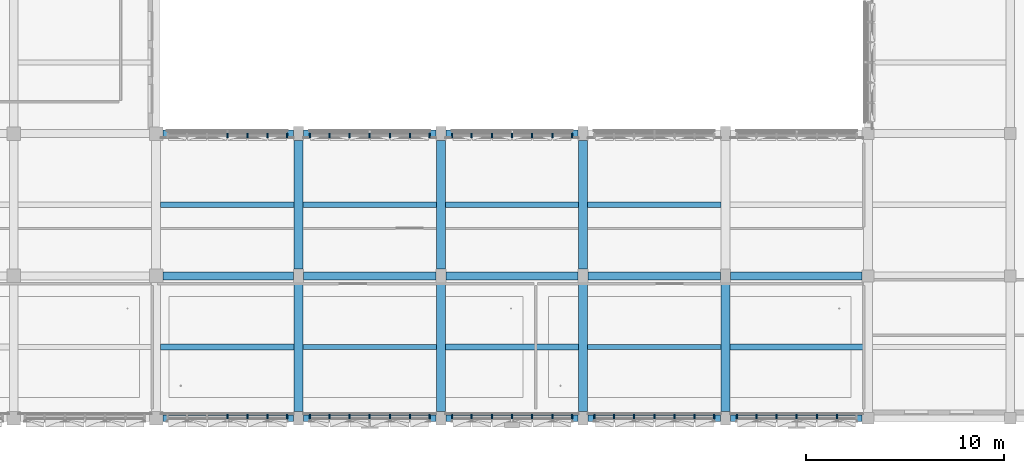
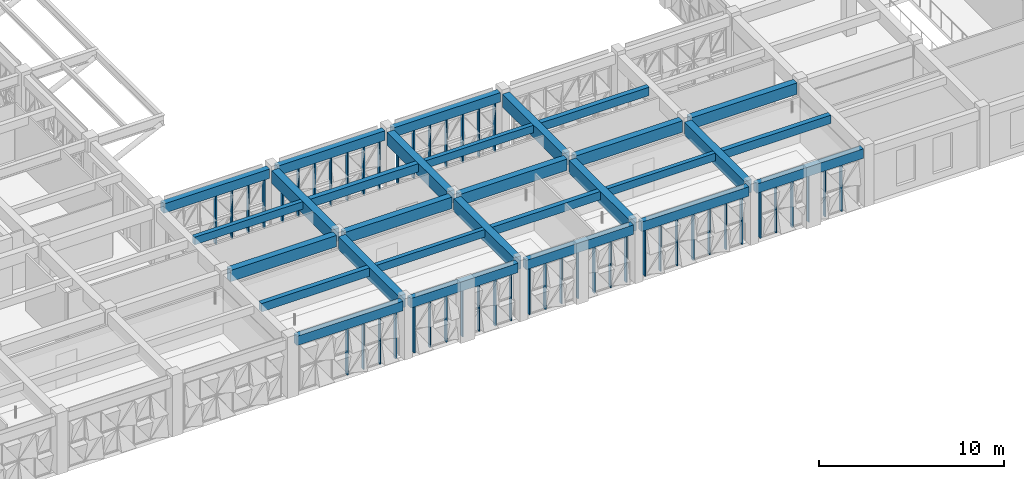
# One storey, part 5 of 88: 49 members, 29 beams, 8 elements without a shape of their own.
"""IFC4 building model written with IfcOpenShell, lengths in metres."""

from ifc_helpers import new_model, si_unit, direction, frame, origin, origin_2d, place, context, subcontext, project, spatial, rectangle, extrude, material, material_profile, profile_set, type_object, element, aggregate, save


model = new_model("IFC4")

# Units and contexts
model_context = context("Model", 3, precision=1e-05, world=origin(), true_north=direction((0.0, 1.0)))
body_context = subcontext(model_context, "Body", "Model", "MODEL_VIEW")
ifc_project = project(units=[si_unit("LENGTHUNIT", "METRE"), si_unit("AREAUNIT", "SQUARE_METRE"), si_unit("VOLUMEUNIT", "CUBIC_METRE"), si_unit("PLANEANGLEUNIT", "RADIAN"), si_unit("MASSUNIT", "GRAM", prefix="KILO")], contexts=[model_context])

# Site, building, storey
site_placement = place(None, origin())
site = spatial("IfcSite", under=ifc_project, at=site_placement, CompositionType="ELEMENT")
building_placement = place(site_placement, origin())
building = spatial("IfcBuilding", under=site, at=building_placement, Name="Alvorim Cloister Faculty of Sciences", CompositionType="ELEMENT")
storey_placement = place(building_placement, frame((0.0, 0.0, 4.5)))
storey = spatial("IfcBuildingStorey", under=building, at=storey_placement, Name="L01", CompositionType="ELEMENT", Elevation=4.5)

# Beams
ifc_material_1 = material(Name="Concrete C40", Category="concrete")
ifc_material_profile_1 = material_profile(ifc_material_1, rectangle(XDim=0.260009765625, YDim=0.5, at=origin_2d()), Name="RC40-JST-260x500")
ifc_profile_set_1 = profile_set([ifc_material_profile_1], Name="Concrete C40")
beam_type_1 = type_object("IfcBeamType", Name="BM-JST-RC-260x500", PredefinedType="JOIST", material=ifc_profile_set_1)
for number, where, z_axis, x_axis, name in (
    (1, (29.02490234375, 10.800048828125, 3.5400390625), (1.0, 0.0, 0.0), (0.0, 1.0, 0.0), "L01 Secondary Floor Joist BM-1195"),
    (2, (36.22509765625, 3.60009765625, 3.5400390625), (1.0, 0.0, 0.0), (0.0, 1.0, 0.0), "L01 Secondary Floor Joist BM-1198"),
    (3, (43.425048828125, 10.800048828125, 3.5400390625), (1.0, 0.0, 0.0), (0.0, 1.0, 0.0), "L01 Secondary Floor Joist BM-1201"),
    (4, (50.625, 3.60009765625, 3.5400390625), (1.0, 0.0, 0.0), (0.0, 1.0, 0.0), "L01 Secondary Floor Joist BM-1202"),
):
    element("IfcBeam", number, at=place(storey_placement, frame(where, z_axis=z_axis, x_axis=x_axis)), inside=storey, type_object=beam_type_1, Name=name, PredefinedType="JOIST", context=body_context, shape_type="SweptSolid", body=[
        extrude(rectangle(XDim=0.260009765625, YDim=0.5, at=origin_2d()), origin(), (0.0, 0.0, 1.0), 6.75),
    ])
ifc_material_profile_2 = material_profile(ifc_material_1, rectangle(XDim=0.300048828125, YDim=0.550048828125, at=origin_2d()), Name="RC40-JST-300x550")
ifc_profile_set_2 = profile_set([ifc_material_profile_2], Name="Concrete C40")
beam_type_2 = type_object("IfcBeamType", Name="BM-JST-RC-300x550", PredefinedType="JOIST", material=ifc_profile_set_2)
for number, where, z_axis, x_axis, name in (
    (5, (29.02490234375, 3.60009765625, 3.514892578125), (1.0, 0.0, 0.0), (0.0, 1.0, 0.0), "L01 Secondary Floor Joist BM-1194"),
    (6, (36.22509765625, 10.800048828125, 3.514892578125), (1.0, 0.0, 0.0), (0.0, 1.0, 0.0), "L01 Secondary Floor Joist BM-1199"),
    (7, (43.425048828125, 3.60009765625, 3.514892578125), (1.0, 0.0, 0.0), (0.0, 1.0, 0.0), "L01 Secondary Floor Joist BM-1200"),
    (8, (50.625, 10.800048828125, 3.514892578125), (1.0, 0.0, 0.0), (0.0, 1.0, 0.0), "L01 Secondary Floor Joist BM-1203"),
    (9, (57.824951171875, 3.60009765625, 3.514892578125), (1.0, 0.0, 0.0), (0.0, 1.0, 0.0), "L01 Secondary Floor Joist BM-1204"),
):
    element("IfcBeam", number, at=place(storey_placement, frame(where, z_axis=z_axis, x_axis=x_axis)), inside=storey, type_object=beam_type_2, Name=name, PredefinedType="JOIST", context=body_context, shape_type="SweptSolid", body=[
        extrude(rectangle(XDim=0.300048828125, YDim=0.550048828125, at=origin_2d()), origin(), (0.0, 0.0, 1.0), 6.75),
    ])
ifc_material_profile_3 = material_profile(ifc_material_1, rectangle(XDim=0.39990234375, YDim=0.75, at=origin_2d()), Name="RC40-BM-400x750")
ifc_profile_set_3 = profile_set([ifc_material_profile_3], Name="Concrete C40")
beam_type_3 = type_object("IfcBeamType", Name="BM-RC-400x750", PredefinedType="BEAM", material=ifc_profile_set_3)
beam_1_placement = place(storey_placement, frame((29.139892578125, 7.199951171875, 3.4150390625), z_axis=(1.0, 0.0, 0.0), x_axis=(0.0, 1.0, 0.0)))
element("IfcBeam", 10, at=beam_1_placement, inside=storey, type_object=beam_type_3, Name="L01 Primary Beam BM-0910", PredefinedType="BEAM", context=body_context, shape_type="SweptSolid", body=[
    extrude(rectangle(XDim=0.39990234375, YDim=0.75, at=origin_2d()), origin(), (0.0, 0.0, 1.0), 6.610107421875),
])
for number, where, z_axis, x_axis, name in (
    (11, (36.25, 7.199951171875, 3.4150390625), (1.0, 0.0, 0.0), (0.0, 1.0, 0.0), "L01 Primary Beam BM-0911"),
    (12, (43.449951171875, 7.199951171875, 3.4150390625), (1.0, 0.0, 0.0), (0.0, 1.0, 0.0), "L01 Primary Beam BM-0912"),
):
    element("IfcBeam", number, at=place(storey_placement, frame(where, z_axis=z_axis, x_axis=x_axis)), inside=storey, type_object=beam_type_3, Name=name, PredefinedType="BEAM", context=body_context, shape_type="SweptSolid", body=[
        extrude(rectangle(XDim=0.39990234375, YDim=0.75, at=origin_2d()), origin(), (0.0, 0.0, 1.0), 6.699951171875),
    ])
beam_2_placement = place(storey_placement, frame((50.64990234375, 7.199951171875, 3.4150390625), z_axis=(1.0, 0.0, 0.0), x_axis=(0.0, 1.0, 0.0)))
element("IfcBeam", 13, at=beam_2_placement, inside=storey, type_object=beam_type_3, Name="L01 Primary Beam BM-0913", PredefinedType="BEAM", context=body_context, shape_type="SweptSolid", body=[
    extrude(rectangle(XDim=0.39990234375, YDim=0.75, at=origin_2d()), origin(), (0.0, 0.0, 1.0), 6.7001953125),
])
beam_3_placement = place(storey_placement, frame((57.85009765625, 7.199951171875, 3.4150390625), z_axis=(1.0, 0.0, 0.0), x_axis=(0.0, 1.0, 0.0)))
element("IfcBeam", 14, at=beam_3_placement, inside=storey, type_object=beam_type_3, Name="L01 Primary Beam BM-0914", PredefinedType="BEAM", context=body_context, shape_type="SweptSolid", body=[
    extrude(rectangle(XDim=0.39990234375, YDim=0.75, at=origin_2d()), origin(), (0.0, 0.0, 1.0), 6.64990234375),
])
ifc_material_profile_4 = material_profile(ifc_material_1, rectangle(XDim=0.449951171875, YDim=0.85009765625, at=origin_2d()), Name="RC40-BM-450x850")
ifc_profile_set_4 = profile_set([ifc_material_profile_4], Name="Concrete C40")
beam_type_4 = type_object("IfcBeamType", Name="BM-RC-450x850", PredefinedType="BEAM", material=ifc_profile_set_4)
for number, where, z_axis, x_axis, name in (
    (15, (36.0, 0.35009765625, 3.364990234375), (0.0, 1.0, 0.0), (-1.0, 0.0, 0.0), "L01 Primary Girder BM-1092"),
    (16, (36.0, 7.550048828125, 3.364990234375), (0.0, 1.0, 0.0), (-1.0, 0.0, 0.0), "L01 Primary Girder BM-1093"),
    (17, (43.199951171875, 0.35009765625, 3.364990234375), (0.0, 1.0, 0.0), (-1.0, 0.0, 0.0), "L01 Primary Girder BM-1096"),
    (18, (43.199951171875, 7.550048828125, 3.364990234375), (0.0, 1.0, 0.0), (-1.0, 0.0, 0.0), "L01 Primary Girder BM-1097"),
    (19, (50.39990234375, 0.35009765625, 3.364990234375), (0.0, 1.0, 0.0), (-1.0, 0.0, 0.0), "L01 Primary Girder BM-1098"),
    (20, (50.39990234375, 7.550048828125, 3.364990234375), (0.0, 1.0, 0.0), (-1.0, 0.0, 0.0), "L01 Primary Girder BM-1099"),
    (21, (57.60009765625, 0.35009765625, 3.364990234375), (0.0, 1.0, 0.0), (-1.0, 0.0, 0.0), "L01 Primary Girder BM-1100"),
):
    element("IfcBeam", number, at=place(storey_placement, frame(where, z_axis=z_axis, x_axis=x_axis)), inside=storey, type_object=beam_type_4, Name=name, PredefinedType="BEAM", context=body_context, shape_type="SweptSolid", body=[
        extrude(rectangle(XDim=0.449951171875, YDim=0.85009765625, at=origin_2d()), origin(), (0.0, 0.0, 1.0), 6.5),
    ])
ifc_material_profile_5 = material_profile(ifc_material_1, rectangle(XDim=0.35009765625, YDim=0.6201171875, at=origin_2d()), Name="RC40-SPD-350x620")
ifc_profile_set_5 = profile_set([ifc_material_profile_5], Name="Concrete C40")
beam_type_5 = type_object("IfcBeamType", Name="BM-SPD-RC-350x620", PredefinedType="SPANDREL", material=ifc_profile_set_5)
beam_4_placement = place(storey_placement, frame((29.139892578125, 0.0, 3.47998046875), z_axis=(1.0, 0.0, 0.0), x_axis=(0.0, 1.0, 0.0)))
element("IfcBeam", 22, at=beam_4_placement, inside=storey, type_object=beam_type_5, Name="L01 Primary Beam BM-0887", PredefinedType="SPANDREL", context=body_context, shape_type="SweptSolid", body=[
    extrude(rectangle(XDim=0.35009765625, YDim=0.6201171875, at=origin_2d()), origin(), (0.0, 0.0, 1.0), 6.610107421875),
])
for number, where, z_axis, x_axis, name in (
    (23, (36.25, 0.0, 3.47998046875), (1.0, 0.0, 0.0), (0.0, 1.0, 0.0), "L01 Primary Beam BM-0888"),
    (24, (43.449951171875, 0.0, 3.47998046875), (1.0, 0.0, 0.0), (0.0, 1.0, 0.0), "L01 Primary Beam BM-0889"),
):
    element("IfcBeam", number, at=place(storey_placement, frame(where, z_axis=z_axis, x_axis=x_axis)), inside=storey, type_object=beam_type_5, Name=name, PredefinedType="SPANDREL", context=body_context, shape_type="SweptSolid", body=[
        extrude(rectangle(XDim=0.35009765625, YDim=0.6201171875, at=origin_2d()), origin(), (0.0, 0.0, 1.0), 6.699951171875),
    ])
beam_5_placement = place(storey_placement, frame((50.64990234375, 0.0, 3.47998046875), z_axis=(1.0, 0.0, 0.0), x_axis=(0.0, 1.0, 0.0)))
element("IfcBeam", 25, at=beam_5_placement, inside=storey, type_object=beam_type_5, Name="L01 Primary Beam BM-0890", PredefinedType="SPANDREL", context=body_context, shape_type="SweptSolid", body=[
    extrude(rectangle(XDim=0.35009765625, YDim=0.6201171875, at=origin_2d()), origin(), (0.0, 0.0, 1.0), 6.7001953125),
])
beam_6_placement = place(storey_placement, frame((57.85009765625, 0.0, 3.47998046875), z_axis=(1.0, 0.0, 0.0), x_axis=(0.0, 1.0, 0.0)))
element("IfcBeam", 26, at=beam_6_placement, inside=storey, type_object=beam_type_5, Name="L01 Primary Beam BM-0891", PredefinedType="SPANDREL", context=body_context, shape_type="SweptSolid", body=[
    extrude(rectangle(XDim=0.35009765625, YDim=0.6201171875, at=origin_2d()), origin(), (0.0, 0.0, 1.0), 6.64990234375),
])
beam_7_placement = place(storey_placement, frame((29.139892578125, 14.39990234375, 3.47998046875), z_axis=(1.0, 0.0, 0.0), x_axis=(0.0, 1.0, 0.0)))
element("IfcBeam", 27, at=beam_7_placement, inside=storey, type_object=beam_type_5, Name="L01 Primary Beam BM-0928", PredefinedType="SPANDREL", context=body_context, shape_type="SweptSolid", body=[
    extrude(rectangle(XDim=0.35009765625, YDim=0.6201171875, at=origin_2d()), origin(), (0.0, 0.0, 1.0), 6.610107421875),
])
for number, where, z_axis, x_axis, name in (
    (28, (36.25, 14.39990234375, 3.47998046875), (1.0, 0.0, 0.0), (0.0, 1.0, 0.0), "L01 Primary Beam BM-0929"),
    (29, (43.449951171875, 14.39990234375, 3.47998046875), (1.0, 0.0, 0.0), (0.0, 1.0, 0.0), "L01 Primary Beam BM-0930"),
):
    element("IfcBeam", number, at=place(storey_placement, frame(where, z_axis=z_axis, x_axis=x_axis)), inside=storey, type_object=beam_type_5, Name=name, PredefinedType="SPANDREL", context=body_context, shape_type="SweptSolid", body=[
        extrude(rectangle(XDim=0.35009765625, YDim=0.6201171875, at=origin_2d()), origin(), (0.0, 0.0, 1.0), 6.699951171875),
    ])

# Curtain wall, members
ifc_material_2 = material(Name="Aluminium and Low-E Glass Curtain Wall", Category="aluminium")
curtain_wall_type = type_object("IfcCurtainWallType", Name="CW-TRI-6120x3170", PredefinedType="USERDEFINED", material=ifc_material_2)
curtain_wall_1_placement = place(storey_placement, origin())
curtain_wall_1 = element("IfcCurtainWall", 30, at=curtain_wall_1_placement, inside=storey, type_object=curtain_wall_type, Name="L01 Diagonal Cassette Curtain Wall CW-0027", ObjectType="UNITISED CURTAIN WALL", PredefinedType="USERDEFINED")
ifc_material_3 = material(Name="Aluminium Alloy 6063-T6", Category="aluminium")
ifc_material_profile_6 = material_profile(ifc_material_3, rectangle(XDim=0.074951171875, YDim=0.219970703125, at=origin_2d()), Name="ALU-MUL-75x220")
ifc_profile_set_6 = profile_set([ifc_material_profile_6], Name="Aluminium Alloy 6063-T6")
member_type = type_object("IfcMemberType", Name="CW-MUL-75x220", PredefinedType="MULLION", material=ifc_profile_set_6)
member_1_placement = place(storey_placement, frame((32.39990234375, 14.31005859375, 0.0), z_axis=(0.0, 0.0, 1.0), x_axis=(1.0, 0.0, 0.0)))
member_1 = element("IfcMember", 31, at=member_1_placement, type_object=member_type, Name="CW-0027 Mullion 4", PredefinedType="MULLION", context=body_context, shape_type="SweptSolid", body=[
    extrude(rectangle(XDim=0.074951171875, YDim=0.219970703125, at=origin_2d()), origin(), (0.0, 0.0, 1.0), 3.169921875),
])
member_2_placement = place(storey_placement, frame((33.419921875, 14.31005859375, 0.0), z_axis=(0.0, 0.0, 1.0), x_axis=(1.0, 0.0, 0.0)))
member_2 = element("IfcMember", 32, at=member_2_placement, type_object=member_type, Name="CW-0027 Mullion 5", PredefinedType="MULLION", context=body_context, shape_type="SweptSolid", body=[
    extrude(rectangle(XDim=0.074951171875, YDim=0.219970703125, at=origin_2d()), origin(), (0.0, 0.0, 1.0), 3.169921875),
])
member_3_placement = place(storey_placement, frame((34.43994140625, 14.31005859375, 0.0), z_axis=(0.0, 0.0, 1.0), x_axis=(1.0, 0.0, 0.0)))
member_3 = element("IfcMember", 33, at=member_3_placement, type_object=member_type, Name="CW-0027 Mullion 6", PredefinedType="MULLION", context=body_context, shape_type="SweptSolid", body=[
    extrude(rectangle(XDim=0.074951171875, YDim=0.219970703125, at=origin_2d()), origin(), (0.0, 0.0, 1.0), 3.169921875),
])
member_4_placement = place(storey_placement, frame((35.422607421875, 14.31005859375, 0.0), z_axis=(0.0, 0.0, 1.0), x_axis=(1.0, 0.0, 0.0)))
member_4 = element("IfcMember", 34, at=member_4_placement, type_object=member_type, Name="CW-0027 Mullion 7", PredefinedType="MULLION", context=body_context, shape_type="SweptSolid", body=[
    extrude(rectangle(XDim=0.074951171875, YDim=0.219970703125, at=origin_2d()), origin(), (0.0, 0.0, 1.0), 3.169921875),
])
aggregate(curtain_wall_1, [member_1, member_2, member_3, member_4])

curtain_wall_2_placement = place(storey_placement, origin())
curtain_wall_2 = element("IfcCurtainWall", 35, at=curtain_wall_2_placement, inside=storey, type_object=curtain_wall_type, Name="L01 Diagonal Cassette Curtain Wall CW-0028", ObjectType="UNITISED CURTAIN WALL", PredefinedType="USERDEFINED")
member_5_placement = place(storey_placement, frame((36.577392578125, 14.31005859375, 0.0), z_axis=(0.0, 0.0, 1.0), x_axis=(1.0, 0.0, 0.0)))
member_5 = element("IfcMember", 36, at=member_5_placement, type_object=member_type, Name="CW-0028 Mullion 1", PredefinedType="MULLION", context=body_context, shape_type="SweptSolid", body=[
    extrude(rectangle(XDim=0.074951171875, YDim=0.219970703125, at=origin_2d()), origin(), (0.0, 0.0, 1.0), 3.169921875),
])
member_6_placement = place(storey_placement, frame((37.56005859375, 14.31005859375, 0.0), z_axis=(0.0, 0.0, 1.0), x_axis=(1.0, 0.0, 0.0)))
member_6 = element("IfcMember", 37, at=member_6_placement, type_object=member_type, Name="CW-0028 Mullion 2", PredefinedType="MULLION", context=body_context, shape_type="SweptSolid", body=[
    extrude(rectangle(XDim=0.074951171875, YDim=0.219970703125, at=origin_2d()), origin(), (0.0, 0.0, 1.0), 3.169921875),
])
member_7_placement = place(storey_placement, frame((38.580078125, 14.31005859375, 0.0), z_axis=(0.0, 0.0, 1.0), x_axis=(1.0, 0.0, 0.0)))
member_7 = element("IfcMember", 38, at=member_7_placement, type_object=member_type, Name="CW-0028 Mullion 3", PredefinedType="MULLION", context=body_context, shape_type="SweptSolid", body=[
    extrude(rectangle(XDim=0.074951171875, YDim=0.219970703125, at=origin_2d()), origin(), (0.0, 0.0, 1.0), 3.169921875),
])
member_8_placement = place(storey_placement, frame((39.60009765625, 14.31005859375, 0.0), z_axis=(0.0, 0.0, 1.0), x_axis=(1.0, 0.0, 0.0)))
member_8 = element("IfcMember", 39, at=member_8_placement, type_object=member_type, Name="CW-0028 Mullion 4", PredefinedType="MULLION", context=body_context, shape_type="SweptSolid", body=[
    extrude(rectangle(XDim=0.074951171875, YDim=0.219970703125, at=origin_2d()), origin(), (0.0, 0.0, 1.0), 3.169921875),
])
member_9_placement = place(storey_placement, frame((40.6201171875, 14.31005859375, 0.0), z_axis=(0.0, 0.0, 1.0), x_axis=(1.0, 0.0, 0.0)))
member_9 = element("IfcMember", 40, at=member_9_placement, type_object=member_type, Name="CW-0028 Mullion 5", PredefinedType="MULLION", context=body_context, shape_type="SweptSolid", body=[
    extrude(rectangle(XDim=0.074951171875, YDim=0.219970703125, at=origin_2d()), origin(), (0.0, 0.0, 1.0), 3.169921875),
])
member_10_placement = place(storey_placement, frame((41.639892578125, 14.31005859375, 0.0), z_axis=(0.0, 0.0, 1.0), x_axis=(1.0, 0.0, 0.0)))
member_10 = element("IfcMember", 41, at=member_10_placement, type_object=member_type, Name="CW-0028 Mullion 6", PredefinedType="MULLION", context=body_context, shape_type="SweptSolid", body=[
    extrude(rectangle(XDim=0.074951171875, YDim=0.219970703125, at=origin_2d()), origin(), (0.0, 0.0, 1.0), 3.169921875),
])
member_11_placement = place(storey_placement, frame((42.62255859375, 14.31005859375, 0.0), z_axis=(0.0, 0.0, 1.0), x_axis=(1.0, 0.0, 0.0)))
member_11 = element("IfcMember", 42, at=member_11_placement, type_object=member_type, Name="CW-0028 Mullion 7", PredefinedType="MULLION", context=body_context, shape_type="SweptSolid", body=[
    extrude(rectangle(XDim=0.074951171875, YDim=0.219970703125, at=origin_2d()), origin(), (0.0, 0.0, 1.0), 3.169921875),
])
aggregate(curtain_wall_2, [member_5, member_6, member_7, member_8, member_9, member_10, member_11])

curtain_wall_3_placement = place(storey_placement, origin())
curtain_wall_3 = element("IfcCurtainWall", 43, at=curtain_wall_3_placement, inside=storey, type_object=curtain_wall_type, Name="L01 Diagonal Cassette Curtain Wall CW-0029", ObjectType="UNITISED CURTAIN WALL", PredefinedType="USERDEFINED")
member_12_placement = place(storey_placement, frame((43.777587890625, 14.31005859375, 0.0), z_axis=(0.0, 0.0, 1.0), x_axis=(1.0, 0.0, 0.0)))
member_12 = element("IfcMember", 44, at=member_12_placement, type_object=member_type, Name="CW-0029 Mullion 1", PredefinedType="MULLION", context=body_context, shape_type="SweptSolid", body=[
    extrude(rectangle(XDim=0.074951171875, YDim=0.219970703125, at=origin_2d()), origin(), (0.0, 0.0, 1.0), 3.169921875),
])
member_13_placement = place(storey_placement, frame((44.760009765625, 14.31005859375, 0.0), z_axis=(0.0, 0.0, 1.0), x_axis=(1.0, 0.0, 0.0)))
member_13 = element("IfcMember", 45, at=member_13_placement, type_object=member_type, Name="CW-0029 Mullion 2", PredefinedType="MULLION", context=body_context, shape_type="SweptSolid", body=[
    extrude(rectangle(XDim=0.074951171875, YDim=0.219970703125, at=origin_2d()), origin(), (0.0, 0.0, 1.0), 3.169921875),
])
member_14_placement = place(storey_placement, frame((45.780029296875, 14.31005859375, 0.0), z_axis=(0.0, 0.0, 1.0), x_axis=(1.0, 0.0, 0.0)))
member_14 = element("IfcMember", 46, at=member_14_placement, type_object=member_type, Name="CW-0029 Mullion 3", PredefinedType="MULLION", context=body_context, shape_type="SweptSolid", body=[
    extrude(rectangle(XDim=0.074951171875, YDim=0.219970703125, at=origin_2d()), origin(), (0.0, 0.0, 1.0), 3.169921875),
])
member_15_placement = place(storey_placement, frame((46.800048828125, 14.31005859375, 0.0), z_axis=(0.0, 0.0, 1.0), x_axis=(1.0, 0.0, 0.0)))
member_15 = element("IfcMember", 47, at=member_15_placement, type_object=member_type, Name="CW-0029 Mullion 4", PredefinedType="MULLION", context=body_context, shape_type="SweptSolid", body=[
    extrude(rectangle(XDim=0.074951171875, YDim=0.219970703125, at=origin_2d()), origin(), (0.0, 0.0, 1.0), 3.169921875),
])
member_16_placement = place(storey_placement, frame((47.820068359375, 14.31005859375, 0.0), z_axis=(0.0, 0.0, 1.0), x_axis=(1.0, 0.0, 0.0)))
member_16 = element("IfcMember", 48, at=member_16_placement, type_object=member_type, Name="CW-0029 Mullion 5", PredefinedType="MULLION", context=body_context, shape_type="SweptSolid", body=[
    extrude(rectangle(XDim=0.074951171875, YDim=0.219970703125, at=origin_2d()), origin(), (0.0, 0.0, 1.0), 3.169921875),
])
member_17_placement = place(storey_placement, frame((48.840087890625, 14.31005859375, 0.0), z_axis=(0.0, 0.0, 1.0), x_axis=(1.0, 0.0, 0.0)))
member_17 = element("IfcMember", 49, at=member_17_placement, type_object=member_type, Name="CW-0029 Mullion 6", PredefinedType="MULLION", context=body_context, shape_type="SweptSolid", body=[
    extrude(rectangle(XDim=0.074951171875, YDim=0.219970703125, at=origin_2d()), origin(), (0.0, 0.0, 1.0), 3.169921875),
])
member_18_placement = place(storey_placement, frame((49.822509765625, 14.31005859375, 0.0), z_axis=(0.0, 0.0, 1.0), x_axis=(1.0, 0.0, 0.0)))
member_18 = element("IfcMember", 50, at=member_18_placement, type_object=member_type, Name="CW-0029 Mullion 7", PredefinedType="MULLION", context=body_context, shape_type="SweptSolid", body=[
    extrude(rectangle(XDim=0.074951171875, YDim=0.219970703125, at=origin_2d()), origin(), (0.0, 0.0, 1.0), 3.169921875),
])
aggregate(curtain_wall_3, [member_12, member_13, member_14, member_15, member_16, member_17, member_18])

curtain_wall_4_placement = place(storey_placement, origin())
curtain_wall_4 = element("IfcCurtainWall", 51, at=curtain_wall_4_placement, inside=storey, type_object=curtain_wall_type, Name="L01 Diagonal Cassette Curtain Wall CW-0040", ObjectType="UNITISED CURTAIN WALL", PredefinedType="USERDEFINED")
member_19_placement = place(storey_placement, frame((58.177490234375, 0.090087890625, 0.0), z_axis=(0.0, 0.0, 1.0), x_axis=(1.0, 0.0, 0.0)))
member_19 = element("IfcMember", 52, at=member_19_placement, type_object=member_type, Name="CW-0040 Mullion 1", PredefinedType="MULLION", context=body_context, shape_type="SweptSolid", body=[
    extrude(rectangle(XDim=0.074951171875, YDim=0.219970703125, at=origin_2d()), origin(), (0.0, 0.0, 1.0), 3.169921875),
])
member_20_placement = place(storey_placement, frame((59.159912109375, 0.090087890625, 0.0), z_axis=(0.0, 0.0, 1.0), x_axis=(1.0, 0.0, 0.0)))
member_20 = element("IfcMember", 53, at=member_20_placement, type_object=member_type, Name="CW-0040 Mullion 2", PredefinedType="MULLION", context=body_context, shape_type="SweptSolid", body=[
    extrude(rectangle(XDim=0.074951171875, YDim=0.219970703125, at=origin_2d()), origin(), (0.0, 0.0, 1.0), 3.169921875),
])
member_21_placement = place(storey_placement, frame((60.179931640625, 0.090087890625, 0.0), z_axis=(0.0, 0.0, 1.0), x_axis=(1.0, 0.0, 0.0)))
member_21 = element("IfcMember", 54, at=member_21_placement, type_object=member_type, Name="CW-0040 Mullion 3", PredefinedType="MULLION", context=body_context, shape_type="SweptSolid", body=[
    extrude(rectangle(XDim=0.074951171875, YDim=0.219970703125, at=origin_2d()), origin(), (0.0, 0.0, 1.0), 3.169921875),
])
member_22_placement = place(storey_placement, frame((61.199951171875, 0.090087890625, 0.0), z_axis=(0.0, 0.0, 1.0), x_axis=(1.0, 0.0, 0.0)))
member_22 = element("IfcMember", 55, at=member_22_placement, type_object=member_type, Name="CW-0040 Mullion 4", PredefinedType="MULLION", context=body_context, shape_type="SweptSolid", body=[
    extrude(rectangle(XDim=0.074951171875, YDim=0.219970703125, at=origin_2d()), origin(), (0.0, 0.0, 1.0), 3.169921875),
])
member_23_placement = place(storey_placement, frame((62.219970703125, 0.090087890625, 0.0), z_axis=(0.0, 0.0, 1.0), x_axis=(1.0, 0.0, 0.0)))
member_23 = element("IfcMember", 56, at=member_23_placement, type_object=member_type, Name="CW-0040 Mullion 5", PredefinedType="MULLION", context=body_context, shape_type="SweptSolid", body=[
    extrude(rectangle(XDim=0.074951171875, YDim=0.219970703125, at=origin_2d()), origin(), (0.0, 0.0, 1.0), 3.169921875),
])
member_24_placement = place(storey_placement, frame((63.239990234375, 0.090087890625, 0.0), z_axis=(0.0, 0.0, 1.0), x_axis=(1.0, 0.0, 0.0)))
member_24 = element("IfcMember", 57, at=member_24_placement, type_object=member_type, Name="CW-0040 Mullion 6", PredefinedType="MULLION", context=body_context, shape_type="SweptSolid", body=[
    extrude(rectangle(XDim=0.074951171875, YDim=0.219970703125, at=origin_2d()), origin(), (0.0, 0.0, 1.0), 3.169921875),
])
aggregate(curtain_wall_4, [member_19, member_20, member_21, member_22, member_23, member_24])

curtain_wall_5_placement = place(storey_placement, origin())
curtain_wall_5 = element("IfcCurtainWall", 58, at=curtain_wall_5_placement, inside=storey, type_object=curtain_wall_type, Name="L01 Diagonal Cassette Curtain Wall CW-0041", ObjectType="UNITISED CURTAIN WALL", PredefinedType="USERDEFINED")
member_25_placement = place(storey_placement, frame((50.9775390625, 0.090087890625, 0.0), z_axis=(0.0, 0.0, 1.0), x_axis=(1.0, 0.0, 0.0)))
member_25 = element("IfcMember", 59, at=member_25_placement, type_object=member_type, Name="CW-0041 Mullion 1", PredefinedType="MULLION", context=body_context, shape_type="SweptSolid", body=[
    extrude(rectangle(XDim=0.074951171875, YDim=0.219970703125, at=origin_2d()), origin(), (0.0, 0.0, 1.0), 3.169921875),
])
member_26_placement = place(storey_placement, frame((51.9599609375, 0.090087890625, 0.0), z_axis=(0.0, 0.0, 1.0), x_axis=(1.0, 0.0, 0.0)))
member_26 = element("IfcMember", 60, at=member_26_placement, type_object=member_type, Name="CW-0041 Mullion 2", PredefinedType="MULLION", context=body_context, shape_type="SweptSolid", body=[
    extrude(rectangle(XDim=0.074951171875, YDim=0.219970703125, at=origin_2d()), origin(), (0.0, 0.0, 1.0), 3.169921875),
])
member_27_placement = place(storey_placement, frame((52.97998046875, 0.090087890625, 0.0), z_axis=(0.0, 0.0, 1.0), x_axis=(1.0, 0.0, 0.0)))
member_27 = element("IfcMember", 61, at=member_27_placement, type_object=member_type, Name="CW-0041 Mullion 3", PredefinedType="MULLION", context=body_context, shape_type="SweptSolid", body=[
    extrude(rectangle(XDim=0.074951171875, YDim=0.219970703125, at=origin_2d()), origin(), (0.0, 0.0, 1.0), 3.169921875),
])
member_28_placement = place(storey_placement, frame((54.0, 0.090087890625, 0.0), z_axis=(0.0, 0.0, 1.0), x_axis=(1.0, 0.0, 0.0)))
member_28 = element("IfcMember", 62, at=member_28_placement, type_object=member_type, Name="CW-0041 Mullion 4", PredefinedType="MULLION", context=body_context, shape_type="SweptSolid", body=[
    extrude(rectangle(XDim=0.074951171875, YDim=0.219970703125, at=origin_2d()), origin(), (0.0, 0.0, 1.0), 3.169921875),
])
member_29_placement = place(storey_placement, frame((55.02001953125, 0.090087890625, 0.0), z_axis=(0.0, 0.0, 1.0), x_axis=(1.0, 0.0, 0.0)))
member_29 = element("IfcMember", 63, at=member_29_placement, type_object=member_type, Name="CW-0041 Mullion 5", PredefinedType="MULLION", context=body_context, shape_type="SweptSolid", body=[
    extrude(rectangle(XDim=0.074951171875, YDim=0.219970703125, at=origin_2d()), origin(), (0.0, 0.0, 1.0), 3.169921875),
])
member_30_placement = place(storey_placement, frame((56.0400390625, 0.090087890625, 0.0), z_axis=(0.0, 0.0, 1.0), x_axis=(1.0, 0.0, 0.0)))
member_30 = element("IfcMember", 64, at=member_30_placement, type_object=member_type, Name="CW-0041 Mullion 6", PredefinedType="MULLION", context=body_context, shape_type="SweptSolid", body=[
    extrude(rectangle(XDim=0.074951171875, YDim=0.219970703125, at=origin_2d()), origin(), (0.0, 0.0, 1.0), 3.169921875),
])
member_31_placement = place(storey_placement, frame((57.0224609375, 0.090087890625, 0.0), z_axis=(0.0, 0.0, 1.0), x_axis=(1.0, 0.0, 0.0)))
member_31 = element("IfcMember", 65, at=member_31_placement, type_object=member_type, Name="CW-0041 Mullion 7", PredefinedType="MULLION", context=body_context, shape_type="SweptSolid", body=[
    extrude(rectangle(XDim=0.074951171875, YDim=0.219970703125, at=origin_2d()), origin(), (0.0, 0.0, 1.0), 3.169921875),
])
aggregate(curtain_wall_5, [member_25, member_26, member_27, member_28, member_29, member_30, member_31])

curtain_wall_6_placement = place(storey_placement, origin())
curtain_wall_6 = element("IfcCurtainWall", 66, at=curtain_wall_6_placement, inside=storey, type_object=curtain_wall_type, Name="L01 Diagonal Cassette Curtain Wall CW-0042", ObjectType="UNITISED CURTAIN WALL", PredefinedType="USERDEFINED")
member_32_placement = place(storey_placement, frame((43.777587890625, 0.090087890625, 0.0), z_axis=(0.0, 0.0, 1.0), x_axis=(1.0, 0.0, 0.0)))
member_32 = element("IfcMember", 67, at=member_32_placement, type_object=member_type, Name="CW-0042 Mullion 1", PredefinedType="MULLION", context=body_context, shape_type="SweptSolid", body=[
    extrude(rectangle(XDim=0.074951171875, YDim=0.219970703125, at=origin_2d()), origin(), (0.0, 0.0, 1.0), 3.169921875),
])
member_33_placement = place(storey_placement, frame((44.760009765625, 0.090087890625, 0.0), z_axis=(0.0, 0.0, 1.0), x_axis=(1.0, 0.0, 0.0)))
member_33 = element("IfcMember", 68, at=member_33_placement, type_object=member_type, Name="CW-0042 Mullion 2", PredefinedType="MULLION", context=body_context, shape_type="SweptSolid", body=[
    extrude(rectangle(XDim=0.074951171875, YDim=0.219970703125, at=origin_2d()), origin(), (0.0, 0.0, 1.0), 3.169921875),
])
member_34_placement = place(storey_placement, frame((45.780029296875, 0.090087890625, 0.0), z_axis=(0.0, 0.0, 1.0), x_axis=(1.0, 0.0, 0.0)))
member_34 = element("IfcMember", 69, at=member_34_placement, type_object=member_type, Name="CW-0042 Mullion 3", PredefinedType="MULLION", context=body_context, shape_type="SweptSolid", body=[
    extrude(rectangle(XDim=0.074951171875, YDim=0.219970703125, at=origin_2d()), origin(), (0.0, 0.0, 1.0), 3.169921875),
])
member_35_placement = place(storey_placement, frame((46.800048828125, 0.090087890625, 0.0), z_axis=(0.0, 0.0, 1.0), x_axis=(1.0, 0.0, 0.0)))
member_35 = element("IfcMember", 70, at=member_35_placement, type_object=member_type, Name="CW-0042 Mullion 4", PredefinedType="MULLION", context=body_context, shape_type="SweptSolid", body=[
    extrude(rectangle(XDim=0.074951171875, YDim=0.219970703125, at=origin_2d()), origin(), (0.0, 0.0, 1.0), 3.169921875),
])
member_36_placement = place(storey_placement, frame((47.820068359375, 0.090087890625, 0.0), z_axis=(0.0, 0.0, 1.0), x_axis=(1.0, 0.0, 0.0)))
member_36 = element("IfcMember", 71, at=member_36_placement, type_object=member_type, Name="CW-0042 Mullion 5", PredefinedType="MULLION", context=body_context, shape_type="SweptSolid", body=[
    extrude(rectangle(XDim=0.074951171875, YDim=0.219970703125, at=origin_2d()), origin(), (0.0, 0.0, 1.0), 3.169921875),
])
member_37_placement = place(storey_placement, frame((48.840087890625, 0.090087890625, 0.0), z_axis=(0.0, 0.0, 1.0), x_axis=(1.0, 0.0, 0.0)))
member_37 = element("IfcMember", 72, at=member_37_placement, type_object=member_type, Name="CW-0042 Mullion 6", PredefinedType="MULLION", context=body_context, shape_type="SweptSolid", body=[
    extrude(rectangle(XDim=0.074951171875, YDim=0.219970703125, at=origin_2d()), origin(), (0.0, 0.0, 1.0), 3.169921875),
])
member_38_placement = place(storey_placement, frame((49.822509765625, 0.090087890625, 0.0), z_axis=(0.0, 0.0, 1.0), x_axis=(1.0, 0.0, 0.0)))
member_38 = element("IfcMember", 73, at=member_38_placement, type_object=member_type, Name="CW-0042 Mullion 7", PredefinedType="MULLION", context=body_context, shape_type="SweptSolid", body=[
    extrude(rectangle(XDim=0.074951171875, YDim=0.219970703125, at=origin_2d()), origin(), (0.0, 0.0, 1.0), 3.169921875),
])
aggregate(curtain_wall_6, [member_32, member_33, member_34, member_35, member_36, member_37, member_38])

curtain_wall_7_placement = place(storey_placement, origin())
curtain_wall_7 = element("IfcCurtainWall", 74, at=curtain_wall_7_placement, inside=storey, type_object=curtain_wall_type, Name="L01 Diagonal Cassette Curtain Wall CW-0043", ObjectType="UNITISED CURTAIN WALL", PredefinedType="USERDEFINED")
member_39_placement = place(storey_placement, frame((36.577392578125, 0.090087890625, 0.0), z_axis=(0.0, 0.0, 1.0), x_axis=(1.0, 0.0, 0.0)))
member_39 = element("IfcMember", 75, at=member_39_placement, type_object=member_type, Name="CW-0043 Mullion 1", PredefinedType="MULLION", context=body_context, shape_type="SweptSolid", body=[
    extrude(rectangle(XDim=0.074951171875, YDim=0.219970703125, at=origin_2d()), origin(), (0.0, 0.0, 1.0), 3.169921875),
])
member_40_placement = place(storey_placement, frame((37.56005859375, 0.090087890625, 0.0), z_axis=(0.0, 0.0, 1.0), x_axis=(1.0, 0.0, 0.0)))
member_40 = element("IfcMember", 76, at=member_40_placement, type_object=member_type, Name="CW-0043 Mullion 2", PredefinedType="MULLION", context=body_context, shape_type="SweptSolid", body=[
    extrude(rectangle(XDim=0.074951171875, YDim=0.219970703125, at=origin_2d()), origin(), (0.0, 0.0, 1.0), 3.169921875),
])
member_41_placement = place(storey_placement, frame((38.580078125, 0.090087890625, 0.0), z_axis=(0.0, 0.0, 1.0), x_axis=(1.0, 0.0, 0.0)))
member_41 = element("IfcMember", 77, at=member_41_placement, type_object=member_type, Name="CW-0043 Mullion 3", PredefinedType="MULLION", context=body_context, shape_type="SweptSolid", body=[
    extrude(rectangle(XDim=0.074951171875, YDim=0.219970703125, at=origin_2d()), origin(), (0.0, 0.0, 1.0), 3.169921875),
])
member_42_placement = place(storey_placement, frame((39.60009765625, 0.090087890625, 0.0), z_axis=(0.0, 0.0, 1.0), x_axis=(1.0, 0.0, 0.0)))
member_42 = element("IfcMember", 78, at=member_42_placement, type_object=member_type, Name="CW-0043 Mullion 4", PredefinedType="MULLION", context=body_context, shape_type="SweptSolid", body=[
    extrude(rectangle(XDim=0.074951171875, YDim=0.219970703125, at=origin_2d()), origin(), (0.0, 0.0, 1.0), 3.169921875),
])
member_43_placement = place(storey_placement, frame((40.6201171875, 0.090087890625, 0.0), z_axis=(0.0, 0.0, 1.0), x_axis=(1.0, 0.0, 0.0)))
member_43 = element("IfcMember", 79, at=member_43_placement, type_object=member_type, Name="CW-0043 Mullion 5", PredefinedType="MULLION", context=body_context, shape_type="SweptSolid", body=[
    extrude(rectangle(XDim=0.074951171875, YDim=0.219970703125, at=origin_2d()), origin(), (0.0, 0.0, 1.0), 3.169921875),
])
member_44_placement = place(storey_placement, frame((41.639892578125, 0.090087890625, 0.0), z_axis=(0.0, 0.0, 1.0), x_axis=(1.0, 0.0, 0.0)))
member_44 = element("IfcMember", 80, at=member_44_placement, type_object=member_type, Name="CW-0043 Mullion 6", PredefinedType="MULLION", context=body_context, shape_type="SweptSolid", body=[
    extrude(rectangle(XDim=0.074951171875, YDim=0.219970703125, at=origin_2d()), origin(), (0.0, 0.0, 1.0), 3.169921875),
])
member_45_placement = place(storey_placement, frame((42.62255859375, 0.090087890625, 0.0), z_axis=(0.0, 0.0, 1.0), x_axis=(1.0, 0.0, 0.0)))
member_45 = element("IfcMember", 81, at=member_45_placement, type_object=member_type, Name="CW-0043 Mullion 7", PredefinedType="MULLION", context=body_context, shape_type="SweptSolid", body=[
    extrude(rectangle(XDim=0.074951171875, YDim=0.219970703125, at=origin_2d()), origin(), (0.0, 0.0, 1.0), 3.169921875),
])
aggregate(curtain_wall_7, [member_39, member_40, member_41, member_42, member_43, member_44, member_45])

curtain_wall_8_placement = place(storey_placement, origin())
curtain_wall_8 = element("IfcCurtainWall", 82, at=curtain_wall_8_placement, inside=storey, type_object=curtain_wall_type, Name="L01 Diagonal Cassette Curtain Wall CW-0044", ObjectType="UNITISED CURTAIN WALL", PredefinedType="USERDEFINED")
member_46_placement = place(storey_placement, frame((32.39990234375, 0.090087890625, 0.0), z_axis=(0.0, 0.0, 1.0), x_axis=(1.0, 0.0, 0.0)))
member_46 = element("IfcMember", 83, at=member_46_placement, type_object=member_type, Name="CW-0044 Mullion 4", PredefinedType="MULLION", context=body_context, shape_type="SweptSolid", body=[
    extrude(rectangle(XDim=0.074951171875, YDim=0.219970703125, at=origin_2d()), origin(), (0.0, 0.0, 1.0), 3.169921875),
])
member_47_placement = place(storey_placement, frame((33.419921875, 0.090087890625, 0.0), z_axis=(0.0, 0.0, 1.0), x_axis=(1.0, 0.0, 0.0)))
member_47 = element("IfcMember", 84, at=member_47_placement, type_object=member_type, Name="CW-0044 Mullion 5", PredefinedType="MULLION", context=body_context, shape_type="SweptSolid", body=[
    extrude(rectangle(XDim=0.074951171875, YDim=0.219970703125, at=origin_2d()), origin(), (0.0, 0.0, 1.0), 3.169921875),
])
member_48_placement = place(storey_placement, frame((34.43994140625, 0.090087890625, 0.0), z_axis=(0.0, 0.0, 1.0), x_axis=(1.0, 0.0, 0.0)))
member_48 = element("IfcMember", 85, at=member_48_placement, type_object=member_type, Name="CW-0044 Mullion 6", PredefinedType="MULLION", context=body_context, shape_type="SweptSolid", body=[
    extrude(rectangle(XDim=0.074951171875, YDim=0.219970703125, at=origin_2d()), origin(), (0.0, 0.0, 1.0), 3.169921875),
])
member_49_placement = place(storey_placement, frame((35.422607421875, 0.090087890625, 0.0), z_axis=(0.0, 0.0, 1.0), x_axis=(1.0, 0.0, 0.0)))
member_49 = element("IfcMember", 86, at=member_49_placement, type_object=member_type, Name="CW-0044 Mullion 7", PredefinedType="MULLION", context=body_context, shape_type="SweptSolid", body=[
    extrude(rectangle(XDim=0.074951171875, YDim=0.219970703125, at=origin_2d()), origin(), (0.0, 0.0, 1.0), 3.169921875),
])
aggregate(curtain_wall_8, [member_46, member_47, member_48, member_49])

save(model, "model.ifc")
